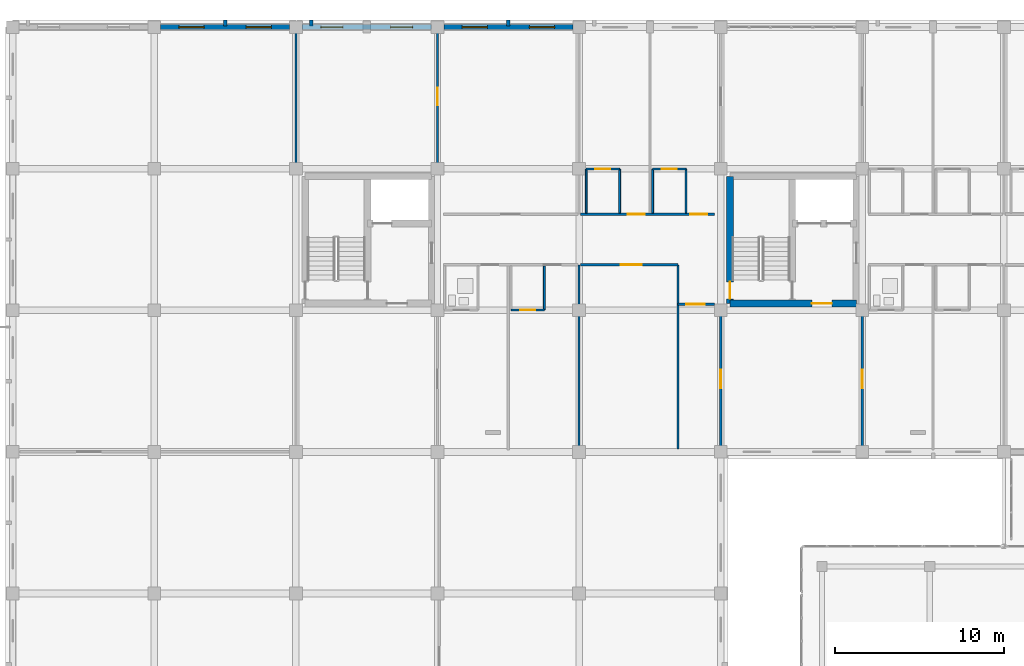
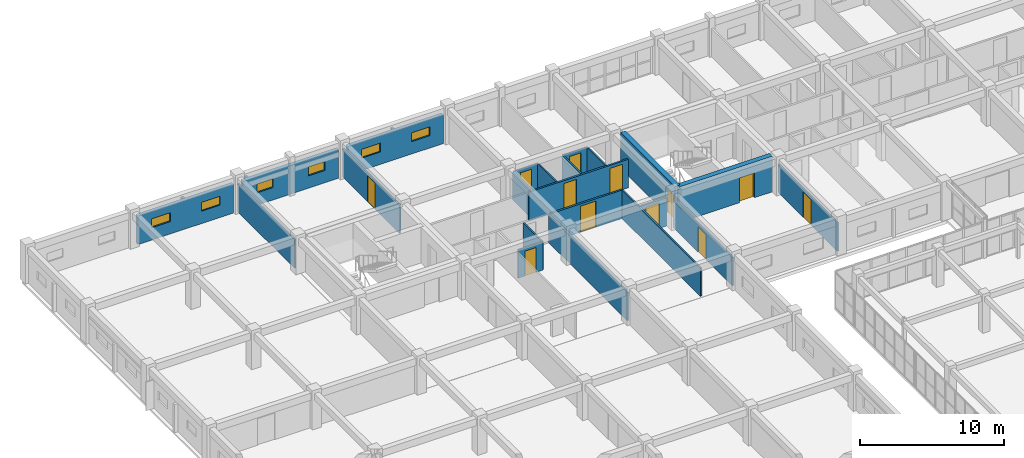
# One storey, part 174 of 200: 25 walls, 12 doors, 6 windows, 18 openings.
"""IFC4 building model written with IfcOpenShell, lengths in metres."""

from ifc_helpers import new_model, si_unit, direction, frame, frame_2d, origin, place, context, subcontext, project, spatial, rectangle, extrude, material, layer, layer_set, type_object, element, fill, save


model = new_model("IFC4")

# Units and contexts
model_context = context("Model", 3, precision=1e-05, world=origin(), true_north=direction((0.0, 1.0)))
body_context = subcontext(model_context, "Body", "Model", "MODEL_VIEW")
ifc_project = project(units=[si_unit("LENGTHUNIT", "METRE"), si_unit("AREAUNIT", "SQUARE_METRE"), si_unit("VOLUMEUNIT", "CUBIC_METRE"), si_unit("PLANEANGLEUNIT", "RADIAN"), si_unit("MASSUNIT", "GRAM", prefix="KILO")], contexts=[model_context])

# Site, building, storey
site_placement = place(None, origin())
site = spatial("IfcSite", under=ifc_project, at=site_placement, CompositionType="ELEMENT")
building_placement = place(site_placement, origin())
building = spatial("IfcBuilding", under=site, at=building_placement, Name="Trelvath General Hospital", CompositionType="ELEMENT")
storey_placement = place(building_placement, frame((0.0, 0.0, 4.800048828125)))
storey = spatial("IfcBuildingStorey", under=building, at=storey_placement, Name="L01", CompositionType="ELEMENT", Elevation=4.800048828125)

# Walls
ifc_material_1 = material(Name="Precast concrete C40/50", Category="concrete")
ifc_layer_1 = layer(ifc_material_1, 0.199951171875)
ifc_layer_set_1 = layer_set([ifc_layer_1], Name="Precast concrete C40/50")
wall_type_1 = type_object("IfcWallType", Name="BriseSoleilRib 200", PredefinedType="ELEMENTEDWALL", material=ifc_layer_set_1)
for number, where, z_axis, x_axis, name in (
    (1, (12.60009765625, 117.675048828125, 0.0), (0.0, 0.0, 1.0), (0.0, 1.0, 0.0), "Precast Concrete Brise-Soleil Rib Fin L01-86"),
    (2, (17.706298828125, 117.675048828125, 0.0), (0.0, 0.0, 1.0), (0.0, 1.0, 0.0), "Precast Concrete Brise-Soleil Rib Fin L01-88"),
    (3, (29.39990234375, 117.675048828125, 0.0), (0.0, 0.0, 1.0), (0.0, 1.0, 0.0), "Precast Concrete Brise-Soleil Rib Fin L01-90"),
):
    element("IfcWall", number, at=place(storey_placement, frame(where, z_axis=z_axis, x_axis=x_axis)), inside=storey, type_object=wall_type_1, Name=name, PredefinedType="ELEMENTEDWALL", context=body_context, shape_type="SweptSolid", body=[
        extrude(rectangle(XDim=0.33984375, YDim=0.199951171875, at=frame_2d((0.169921875, 0.0))), origin(), (0.0, 0.0, 1.0), 2.39990234375),
    ])

# Wall, opening, door
ifc_material_2 = material(Name="Gypsum acoustic steel-stud partition", Category="steel")
ifc_layer_2 = layer(ifc_material_2, 0.14990234375)
ifc_layer_set_2 = layer_set([ifc_layer_2], Name="Gypsum acoustic steel-stud partition")
wall_type_2 = type_object("IfcWallType", Name="ClinicalPartition 150", PredefinedType="PARTITIONING", material=ifc_layer_set_2)
wall_1_placement = place(storey_placement, frame((33.679931640625, 103.5, 0.0), z_axis=(0.0, 0.0, 1.0), x_axis=(1.0, 0.0, 0.0)))
wall_1 = element("IfcWall", 4, at=wall_1_placement, inside=storey, type_object=wall_type_2, Name="Nurse Station Partition L01-524", PredefinedType="PARTITIONING", context=body_context, shape_type="SweptSolid", body=[
    extrude(rectangle(XDim=5.780029296875, YDim=0.14990234375, at=frame_2d((2.89013671875, 0.0))), origin(), (0.0, 0.0, 1.0), 2.39990234375),
])
opening_1_placement = place(wall_1_placement, frame((2.3798828125, 0.0, 0.0)))
opening_1 = element("IfcOpeningElement", 5, at=opening_1_placement, cuts=wall_1, Name="Opening D-1-0544", PredefinedType="OPENING", context=body_context, shape_type="SweptSolid", body=[
    extrude(rectangle(XDim=1.25, YDim=2.199951171875, at=frame_2d((0.625, 1.10009765625))), frame((0.0, 0.0849609375, 0.0), z_axis=(0.0, -1.0, 0.0), x_axis=(1.0, 0.0, 0.0)), (0.0, 0.0, 1.0), 0.169921875),
])
ifc_material_3 = material(Name="Acoustic hospital timber leaf", Category="wood")
door_type_1 = type_object("IfcDoorType", Name="Door Treatment 1250x2200", OperationType="NOTDEFINED", PredefinedType="DOOR", material=ifc_material_3)
door_1_placement = place(opening_1_placement, origin())
door_1 = element("IfcDoor", 6, at=door_1_placement, inside=storey, type_object=door_type_1, Name="Nurse Station Door L01-544", OperationType="SINGLE_SWING_LEFT", OverallHeight=2.199951171875, OverallWidth=1.25, PredefinedType="DOOR", context=body_context, shape_type="SweptSolid", body=[
    extrude(rectangle(XDim=1.25, YDim=2.199951171875, at=frame_2d((0.625, 1.10009765625))), frame((0.0, 0.02490234375, 0.0), z_axis=(0.0, -1.0, 0.0), x_axis=(1.0, 0.0, 0.0)), (0.0, 0.0, 1.0), 0.050048828125),
])
fill(opening_1, door_1)

wall_2_placement = place(storey_placement, frame((39.4599609375, 101.159912109375, 0.0), z_axis=(0.0, 0.0, 1.0), x_axis=(1.0, 0.0, 0.0)))
wall_2 = element("IfcWall", 7, at=wall_2_placement, inside=storey, type_object=wall_type_2, Name="Clean Utility Partition L01-526", PredefinedType="PARTITIONING", context=body_context, shape_type="SweptSolid", body=[
    extrude(rectangle(XDim=2.179931640625, YDim=0.14990234375, at=frame_2d((1.08984375, 0.0))), origin(), (0.0, 0.0, 1.0), 2.39990234375),
])
opening_2_placement = place(wall_2_placement, frame((0.5, 0.0, 0.0)))
opening_2 = element("IfcOpeningElement", 8, at=opening_2_placement, cuts=wall_2, Name="Opening D-1-0545", PredefinedType="OPENING", context=body_context, shape_type="SweptSolid", body=[
    extrude(rectangle(XDim=1.080078125, YDim=2.14990234375, at=frame_2d((0.5400390625, 1.074951171875))), frame((0.0, 0.0849609375, 0.0), z_axis=(0.0, -1.0, 0.0), x_axis=(1.0, 0.0, 0.0)), (0.0, 0.0, 1.0), 0.169921875),
])
ifc_material_4 = material(Name="Acoustic hospital timber leaf", Category="wood")
door_type_2 = type_object("IfcDoorType", Name="Door CleanSupply 1080x2150", OperationType="NOTDEFINED", PredefinedType="DOOR", material=ifc_material_4)
door_2_placement = place(opening_2_placement, origin())
door_2 = element("IfcDoor", 9, at=door_2_placement, inside=storey, type_object=door_type_2, Name="Clean Utility Door L01-545", OperationType="SINGLE_SWING_RIGHT", OverallHeight=2.14990234375, OverallWidth=1.080078125, PredefinedType="DOOR", context=body_context, shape_type="SweptSolid", body=[
    extrude(rectangle(XDim=1.080078125, YDim=2.14990234375, at=frame_2d((0.5400390625, 1.074951171875))), frame((0.0, 0.02490234375, 0.0), z_axis=(0.0, -1.0, 0.0), x_axis=(1.0, 0.0, 0.0)), (0.0, 0.0, 1.0), 0.050048828125),
])
fill(opening_2, door_2)

# Wall, openings, doors
wall_3_placement = place(storey_placement, frame((41.639892578125, 106.5, 0.0), z_axis=(0.0, 0.0, 1.0), x_axis=(-1.0, 0.0, 0.0)))
wall_3 = element("IfcWall", 10, at=wall_3_placement, inside=storey, type_object=wall_type_2, Name="Corridor Partition N L01-527", PredefinedType="PARTITIONING", context=body_context, shape_type="SweptSolid", body=[
    extrude(rectangle(XDim=7.9599609375, YDim=0.14990234375, at=frame_2d((3.97998046875, 0.0))), origin(), (0.0, 0.0, 1.0), 2.39990234375),
])
opening_3_placement = place(wall_3_placement, frame((0.449951171875, 0.0, 0.0)))
opening_3 = element("IfcOpeningElement", 11, at=opening_3_placement, cuts=wall_3, Name="Opening D-1-0546", PredefinedType="OPENING", context=body_context, shape_type="SweptSolid", body=[
    extrude(rectangle(XDim=1.0, YDim=2.14990234375, at=frame_2d((0.5, 1.074951171875))), frame((0.0, 0.0849609375, 0.0), z_axis=(0.0, -1.0, 0.0), x_axis=(1.0, 0.0, 0.0)), (0.0, 0.0, 1.0), 0.169921875),
])
opening_4_placement = place(wall_3_placement, frame((4.14990234375, 0.0, 0.0)))
opening_4 = element("IfcOpeningElement", 12, at=opening_4_placement, cuts=wall_3, Name="Opening D-1-0547", PredefinedType="OPENING", context=body_context, shape_type="SweptSolid", body=[
    extrude(rectangle(XDim=1.0, YDim=2.14990234375, at=frame_2d((0.5, 1.074951171875))), frame((0.0, 0.0849609375, 0.0), z_axis=(0.0, -1.0, 0.0), x_axis=(1.0, 0.0, 0.0)), (0.0, 0.0, 1.0), 0.169921875),
])
ifc_material_5 = material(Name="Acoustic hospital timber leaf", Category="wood")
door_type_3 = type_object("IfcDoorType", Name="Door Consult 1000x2150", OperationType="NOTDEFINED", PredefinedType="DOOR", material=ifc_material_5)
door_3_placement = place(opening_3_placement, origin())
door_3 = element("IfcDoor", 13, at=door_3_placement, inside=storey, type_object=door_type_3, Name="Patient Room Door N L01-546", OperationType="SINGLE_SWING_LEFT", OverallHeight=2.14990234375, OverallWidth=1.0, PredefinedType="DOOR", context=body_context, shape_type="SweptSolid", body=[
    extrude(rectangle(XDim=1.0, YDim=2.14990234375, at=frame_2d((0.5, 1.074951171875))), frame((0.0, 0.02490234375, 0.0), z_axis=(0.0, -1.0, 0.0), x_axis=(1.0, 0.0, 0.0)), (0.0, 0.0, 1.0), 0.050048828125),
])
fill(opening_3, door_3)
door_4_placement = place(opening_4_placement, origin())
door_4 = element("IfcDoor", 14, at=door_4_placement, inside=storey, type_object=door_type_3, Name="Patient Room Door N L01-547", OperationType="SINGLE_SWING_LEFT", OverallHeight=2.14990234375, OverallWidth=1.0, PredefinedType="DOOR", context=body_context, shape_type="SweptSolid", body=[
    extrude(rectangle(XDim=1.0, YDim=2.14990234375, at=frame_2d((0.5, 1.074951171875))), frame((0.0, 0.02490234375, 0.0), z_axis=(0.0, -1.0, 0.0), x_axis=(1.0, 0.0, 0.0)), (0.0, 0.0, 1.0), 0.050048828125),
])
fill(opening_4, door_4)

# Wall, opening, door
ifc_material_6 = material(Name="Concrete C40/50", Category="concrete")
ifc_layer_3 = layer(ifc_material_6, 0.39990234375)
ifc_layer_set_3 = layer_set([ifc_layer_3], Name="Concrete C40/50")
wall_type_3 = type_object("IfcWallType", Name="CoreShearWall 400", PredefinedType="SHEAR", material=ifc_layer_set_3)
wall_4_placement = place(storey_placement, frame((42.550048828125, 101.199951171875, 0.0), z_axis=(0.0, 0.0, 1.0), x_axis=(1.0, 0.0, 0.0)))
wall_4 = element("IfcWall", 15, at=wall_4_placement, inside=storey, type_object=wall_type_3, Name="Core Shear Wall C1 S L01", PredefinedType="SHEAR", context=body_context, shape_type="SweptSolid", body=[
    extrude(rectangle(XDim=7.5, YDim=0.39990234375, at=frame_2d((3.75, 0.0))), origin(), (0.0, 0.0, 1.0), 3.02001953125),
])
opening_5_placement = place(wall_4_placement, frame((4.85009765625, 0.0, 0.0)))
opening_5 = element("IfcOpeningElement", 16, at=opening_5_placement, cuts=wall_4, Name="Opening FD-LS11", PredefinedType="OPENING", context=body_context, shape_type="SweptSolid", body=[
    extrude(rectangle(XDim=1.199951171875, YDim=2.10009765625, at=frame_2d((0.60009765625, 1.050048828125))), frame((0.0, 0.2099609375, 0.0), z_axis=(0.0, -1.0, 0.0), x_axis=(1.0, 0.0, 0.0)), (0.0, 0.0, 1.0), 0.419921875),
])
ifc_material_7 = material(Name="Fire-rated steel door", Category="steel")
door_type_4 = type_object("IfcDoorType", Name="Door FireLobby 1200x2100", OperationType="NOTDEFINED", PredefinedType="DOOR", material=ifc_material_7)
door_5_placement = place(opening_5_placement, origin())
door_5 = element("IfcDoor", 17, at=door_5_placement, inside=storey, type_object=door_type_4, Name="Fire Lobby South Door C1 L01", OperationType="SINGLE_SWING_RIGHT", OverallHeight=2.10009765625, OverallWidth=1.199951171875, PredefinedType="DOOR", context=body_context, shape_type="SweptSolid", body=[
    extrude(rectangle(XDim=1.199951171875, YDim=2.10009765625, at=frame_2d((0.60009765625, 1.050048828125))), frame((0.0, 0.02490234375, 0.0), z_axis=(0.0, -1.0, 0.0), x_axis=(1.0, 0.0, 0.0)), (0.0, 0.0, 1.0), 0.050048828125),
])
fill(opening_5, door_5)

wall_5_placement = place(storey_placement, frame((42.550048828125, 101.199951171875, 0.0), z_axis=(0.0, 0.0, 1.0), x_axis=(0.0, 1.0, 0.0)))
wall_5 = element("IfcWall", 18, at=wall_5_placement, inside=storey, type_object=wall_type_3, Name="Core Shear Wall C1 W L01", PredefinedType="SHEAR", context=body_context, shape_type="SweptSolid", body=[
    extrude(rectangle(XDim=7.550048828125, YDim=0.39990234375, at=frame_2d((3.77490234375, 0.0))), origin(), (0.0, 0.0, 1.0), 3.02001953125),
])
opening_6_placement = place(wall_5_placement, frame((0.280029296875, 0.0, 0.0)))
opening_6 = element("IfcOpeningElement", 19, at=opening_6_placement, cuts=wall_5, Name="Opening FD-SW11", PredefinedType="OPENING", context=body_context, shape_type="SweptSolid", body=[
    extrude(rectangle(XDim=1.0, YDim=2.14990234375, at=frame_2d((0.5, 1.074951171875))), frame((0.0, 0.2099609375, 0.0), z_axis=(0.0, -1.0, 0.0), x_axis=(1.0, 0.0, 0.0)), (0.0, 0.0, 1.0), 0.419921875),
])
ifc_material_8 = material(Name="Fire-rated steel door", Category="steel")
door_type_5 = type_object("IfcDoorType", Name="Door FireStair 1100x2150", OperationType="NOTDEFINED", PredefinedType="DOOR", material=ifc_material_8)
door_6_placement = place(opening_6_placement, origin())
door_6 = element("IfcDoor", 20, at=door_6_placement, inside=storey, type_object=door_type_5, Name="West Corridor Stair Door ST1 L01", OperationType="SINGLE_SWING_LEFT", OverallHeight=2.14990234375, OverallWidth=1.0, PredefinedType="DOOR", context=body_context, shape_type="SweptSolid", body=[
    extrude(rectangle(XDim=1.0, YDim=2.14990234375, at=frame_2d((0.5, 1.074951171875))), frame((0.0, 0.02490234375, 0.0), z_axis=(0.0, -1.0, 0.0), x_axis=(1.0, 0.0, 0.0)), (0.0, 0.0, 1.0), 0.050048828125),
])
fill(opening_6, door_6)

# Wall
ifc_material_9 = material(Name="Moisture-resistant tile partition")
ifc_layer_4 = layer(ifc_material_9, 0.110107421875)
ifc_layer_set_4 = layer_set([ifc_layer_4], Name="Moisture-resistant tile partition")
wall_type_4 = type_object("IfcWallType", Name="EnSuiteWetWall 110", PredefinedType="PARTITIONING", material=ifc_layer_set_4)
wall_6_placement = place(storey_placement, frame((31.5400390625, 100.820068359375, 0.0), z_axis=(0.0, 0.0, 1.0), x_axis=(0.0, 1.0, 0.0)))
element("IfcWall", 21, at=wall_6_placement, inside=storey, type_object=wall_type_4, Name="En-Suite E Wall L01-518", PredefinedType="PARTITIONING", context=body_context, shape_type="SweptSolid", body=[
    extrude(rectangle(XDim=2.60986328125, YDim=0.110107421875, at=frame_2d((1.304931640625, 0.0))), origin(), (0.0, 0.0, 1.0), 2.39990234375),
])

# Wall, opening, door
wall_7_placement = place(storey_placement, frame((29.56005859375, 100.820068359375, 0.0), z_axis=(0.0, 0.0, 1.0), x_axis=(1.0, 0.0, 0.0)))
wall_7 = element("IfcWall", 22, at=wall_7_placement, inside=storey, type_object=wall_type_4, Name="En-Suite Bathroom Partition L01-519", PredefinedType="PARTITIONING", context=body_context, shape_type="SweptSolid", body=[
    extrude(rectangle(XDim=1.97998046875, YDim=0.110107421875, at=frame_2d((0.989990234375, 0.0))), origin(), (0.0, 0.0, 1.0), 2.39990234375),
])
opening_7_placement = place(wall_7_placement, frame((0.5400390625, 0.0, 0.0)))
opening_7 = element("IfcOpeningElement", 23, at=opening_7_placement, cuts=wall_7, Name="Opening D-1-0542", PredefinedType="OPENING", context=body_context, shape_type="SweptSolid", body=[
    extrude(rectangle(XDim=0.89990234375, YDim=2.10009765625, at=frame_2d((0.449951171875, 1.050048828125))), frame((0.0, 0.06494140625, 0.0), z_axis=(0.0, -1.0, 0.0), x_axis=(1.0, 0.0, 0.0)), (0.0, 0.0, 1.0), 0.130126953125),
])
ifc_material_10 = material(Name="Moisture-sealed timber leaf", Category="wood")
door_type_6 = type_object("IfcDoorType", Name="Door EnSuite 900x2100", OperationType="NOTDEFINED", PredefinedType="DOOR", material=ifc_material_10)
door_7_placement = place(opening_7_placement, origin())
door_7 = element("IfcDoor", 24, at=door_7_placement, inside=storey, type_object=door_type_6, Name="En-Suite Bathroom Door L01-542", OperationType="SINGLE_SWING_LEFT", OverallHeight=2.10009765625, OverallWidth=0.89990234375, PredefinedType="DOOR", context=body_context, shape_type="SweptSolid", body=[
    extrude(rectangle(XDim=0.89990234375, YDim=2.10009765625, at=frame_2d((0.449951171875, 1.050048828125))), frame((0.0, 0.02490234375, 0.0), z_axis=(0.0, -1.0, 0.0), x_axis=(1.0, 0.0, 0.0)), (0.0, 0.0, 1.0), 0.050048828125),
])
fill(opening_7, door_7)

# Walls
for number, where, z_axis, x_axis, name in (
    (25, (34.02001953125, 106.570068359375, 0.0), (0.0, 0.0, 1.0), (0.0, 1.0, 0.0), "En-Suite W Wall N L01-529"),
    (26, (36.0, 106.570068359375, 0.0), (0.0, 0.0, 1.0), (0.0, 1.0, 0.0), "En-Suite E Wall N L01-530"),
):
    element("IfcWall", number, at=place(storey_placement, frame(where, z_axis=z_axis, x_axis=x_axis)), inside=storey, type_object=wall_type_4, Name=name, PredefinedType="PARTITIONING", context=body_context, shape_type="SweptSolid", body=[
        extrude(rectangle(XDim=2.60986328125, YDim=0.110107421875, at=frame_2d((1.304931640625, 0.0))), origin(), (0.0, 0.0, 1.0), 2.39990234375),
    ])

# Wall, opening, door
wall_8_placement = place(storey_placement, frame((34.02001953125, 109.179931640625, 0.0), z_axis=(0.0, 0.0, 1.0), x_axis=(1.0, 0.0, 0.0)))
wall_8 = element("IfcWall", 27, at=wall_8_placement, inside=storey, type_object=wall_type_4, Name="En-Suite Bathroom N Partition L01-531", PredefinedType="PARTITIONING", context=body_context, shape_type="SweptSolid", body=[
    extrude(rectangle(XDim=1.97998046875, YDim=0.110107421875, at=frame_2d((0.989990234375, 0.0))), origin(), (0.0, 0.0, 1.0), 2.39990234375),
])
opening_8_placement = place(wall_8_placement, frame((0.5400390625, 0.0, 0.0)))
opening_8 = element("IfcOpeningElement", 28, at=opening_8_placement, cuts=wall_8, Name="Opening D-1-0548", PredefinedType="OPENING", context=body_context, shape_type="SweptSolid", body=[
    extrude(rectangle(XDim=0.89990234375, YDim=2.10009765625, at=frame_2d((0.449951171875, 1.050048828125))), frame((0.0, 0.06494140625, 0.0), z_axis=(0.0, -1.0, 0.0), x_axis=(1.0, 0.0, 0.0)), (0.0, 0.0, 1.0), 0.130126953125),
])
door_8_placement = place(opening_8_placement, origin())
door_8 = element("IfcDoor", 29, at=door_8_placement, inside=storey, type_object=door_type_6, Name="En-Suite Bathroom N Door L01-548", OperationType="SINGLE_SWING_RIGHT", OverallHeight=2.10009765625, OverallWidth=0.89990234375, PredefinedType="DOOR", context=body_context, shape_type="SweptSolid", body=[
    extrude(rectangle(XDim=0.89990234375, YDim=2.10009765625, at=frame_2d((0.449951171875, 1.050048828125))), frame((0.0, 0.02490234375, 0.0), z_axis=(0.0, -1.0, 0.0), x_axis=(1.0, 0.0, 0.0)), (0.0, 0.0, 1.0), 0.050048828125),
])
fill(opening_8, door_8)

# Walls
for number, where, z_axis, x_axis, name in (
    (30, (37.9599609375, 106.570068359375, 0.0), (0.0, 0.0, 1.0), (0.0, 1.0, 0.0), "En-Suite W Wall N L01-532"),
    (31, (39.93994140625, 106.570068359375, 0.0), (0.0, 0.0, 1.0), (0.0, 1.0, 0.0), "En-Suite E Wall N L01-533"),
):
    element("IfcWall", number, at=place(storey_placement, frame(where, z_axis=z_axis, x_axis=x_axis)), inside=storey, type_object=wall_type_4, Name=name, PredefinedType="PARTITIONING", context=body_context, shape_type="SweptSolid", body=[
        extrude(rectangle(XDim=2.60986328125, YDim=0.110107421875, at=frame_2d((1.304931640625, 0.0))), origin(), (0.0, 0.0, 1.0), 2.39990234375),
    ])

# Wall, opening, door
wall_9_placement = place(storey_placement, frame((37.9599609375, 109.179931640625, 0.0), z_axis=(0.0, 0.0, 1.0), x_axis=(1.0, 0.0, 0.0)))
wall_9 = element("IfcWall", 32, at=wall_9_placement, inside=storey, type_object=wall_type_4, Name="En-Suite Bathroom N Partition L01-534", PredefinedType="PARTITIONING", context=body_context, shape_type="SweptSolid", body=[
    extrude(rectangle(XDim=1.97998046875, YDim=0.110107421875, at=frame_2d((0.989990234375, 0.0))), origin(), (0.0, 0.0, 1.0), 2.39990234375),
])
opening_9_placement = place(wall_9_placement, frame((0.5400390625, 0.0, 0.0)))
opening_9 = element("IfcOpeningElement", 33, at=opening_9_placement, cuts=wall_9, Name="Opening D-1-0549", PredefinedType="OPENING", context=body_context, shape_type="SweptSolid", body=[
    extrude(rectangle(XDim=0.89990234375, YDim=2.10009765625, at=frame_2d((0.449951171875, 1.050048828125))), frame((0.0, 0.06494140625, 0.0), z_axis=(0.0, -1.0, 0.0), x_axis=(1.0, 0.0, 0.0)), (0.0, 0.0, 1.0), 0.130126953125),
])
door_9_placement = place(opening_9_placement, origin())
door_9 = element("IfcDoor", 34, at=door_9_placement, inside=storey, type_object=door_type_6, Name="En-Suite Bathroom N Door L01-549", OperationType="SINGLE_SWING_LEFT", OverallHeight=2.10009765625, OverallWidth=0.89990234375, PredefinedType="DOOR", context=body_context, shape_type="SweptSolid", body=[
    extrude(rectangle(XDim=0.89990234375, YDim=2.10009765625, at=frame_2d((0.449951171875, 1.050048828125))), frame((0.0, 0.02490234375, 0.0), z_axis=(0.0, -1.0, 0.0), x_axis=(1.0, 0.0, 0.0)), (0.0, 0.0, 1.0), 0.050048828125),
])
fill(opening_9, door_9)

# Wall, openings, windows
ifc_material_11 = material(Name="Concrete C35/45", Category="concrete")
ifc_layer_5 = layer(ifc_material_11, 0.2900390625)
ifc_layer_set_5 = layer_set([ifc_layer_5], Name="Concrete C35/45")
wall_type_5 = type_object("IfcWallType", Name="ExtBushHammeredWall 290", PredefinedType="SOLIDWALL", material=ifc_layer_set_5)
wall_10_placement = place(storey_placement, frame((8.77001953125, 117.60009765625, 0.0), z_axis=(0.0, 0.0, 1.0), x_axis=(1.0, 0.0, 0.0)))
wall_10 = element("IfcWall", 35, at=wall_10_placement, inside=storey, type_object=wall_type_5, Name="Exterior Concrete Wall L01-125", PredefinedType="SOLIDWALL", context=body_context, shape_type="SweptSolid", body=[
    extrude(rectangle(XDim=7.659912109375, YDim=0.2900390625, at=frame_2d((3.830078125, 0.0))), origin(), (0.0, 0.0, 1.0), 2.419921875),
])
opening_10_placement = place(wall_10_placement, frame((1.08837890625, 0.0, 1.050048828125)))
opening_10 = element("IfcOpeningElement", 36, at=opening_10_placement, cuts=wall_10, Name="Opening WN-1-179", PredefinedType="OPENING", context=body_context, shape_type="SweptSolid", body=[
    extrude(rectangle(XDim=1.5, YDim=0.75, at=frame_2d((0.75, 0.375))), frame((0.0, 0.155029296875, 0.0), z_axis=(0.0, -1.0, 0.0), x_axis=(1.0, 0.0, 0.0)), (0.0, 0.0, 1.0), 0.31005859375),
])
opening_11_placement = place(wall_10_placement, frame((5.071533203125, 0.0, 1.050048828125)))
opening_11 = element("IfcOpeningElement", 37, at=opening_11_placement, cuts=wall_10, Name="Opening WN-1-180", PredefinedType="OPENING", context=body_context, shape_type="SweptSolid", body=[
    extrude(rectangle(XDim=1.5, YDim=0.75, at=frame_2d((0.75, 0.375))), frame((0.0, 0.155029296875, 0.0), z_axis=(0.0, -1.0, 0.0), x_axis=(1.0, 0.0, 0.0)), (0.0, 0.0, 1.0), 0.31005859375),
])
ifc_material_12 = material(Name="Low-E laminated glass", Category="glass")
window_type_1 = type_object("IfcWindowType", Name="Window InterstitialVent 1500x750", PartitioningType="DOUBLE_PANEL_HORIZONTAL", PredefinedType="WINDOW", material=ifc_material_12)
window_1_placement = place(opening_10_placement, origin())
window_1 = element("IfcWindow", 38, at=window_1_placement, inside=storey, type_object=window_type_1, Name="Solar Reveal Window L01-179", OverallHeight=0.75, OverallWidth=1.5, PartitioningType="SINGLE_PANEL", PredefinedType="WINDOW", context=body_context, shape_type="SweptSolid", body=[
    extrude(rectangle(XDim=1.5, YDim=0.75, at=frame_2d((0.75, 0.375))), frame((0.0, 0.030029296875, 0.0), z_axis=(0.0, -1.0, 0.0), x_axis=(1.0, 0.0, 0.0)), (0.0, 0.0, 1.0), 0.06005859375),
])
fill(opening_10, window_1)
window_2_placement = place(opening_11_placement, origin())
window_2 = element("IfcWindow", 39, at=window_2_placement, inside=storey, type_object=window_type_1, Name="Solar Reveal Window L01-180", OverallHeight=0.75, OverallWidth=1.5, PartitioningType="SINGLE_PANEL", PredefinedType="WINDOW", context=body_context, shape_type="SweptSolid", body=[
    extrude(rectangle(XDim=1.5, YDim=0.75, at=frame_2d((0.75, 0.375))), frame((0.0, 0.030029296875, 0.0), z_axis=(0.0, -1.0, 0.0), x_axis=(1.0, 0.0, 0.0)), (0.0, 0.0, 1.0), 0.06005859375),
])
fill(opening_11, window_2)

wall_11_placement = place(storey_placement, frame((17.169921875, 117.60009765625, 0.0), z_axis=(0.0, 0.0, 1.0), x_axis=(1.0, 0.0, 0.0)))
wall_11 = element("IfcWall", 40, at=wall_11_placement, inside=storey, type_object=wall_type_5, Name="Exterior Concrete Wall L01-127", PredefinedType="SOLIDWALL", context=body_context, shape_type="SweptSolid", body=[
    extrude(rectangle(XDim=7.66015625, YDim=0.2900390625, at=frame_2d((3.830078125, 0.0))), origin(), (0.0, 0.0, 1.0), 2.419921875),
])
opening_12_placement = place(wall_11_placement, frame((1.11181640625, 0.0, 1.050048828125)))
opening_12 = element("IfcOpeningElement", 41, at=opening_12_placement, cuts=wall_11, Name="Opening WN-1-183", PredefinedType="OPENING", context=body_context, shape_type="SweptSolid", body=[
    extrude(rectangle(XDim=1.300048828125, YDim=0.75, at=frame_2d((0.64990234375, 0.375))), frame((0.0, 0.155029296875, 0.0), z_axis=(0.0, -1.0, 0.0), x_axis=(1.0, 0.0, 0.0)), (0.0, 0.0, 1.0), 0.31005859375),
])
opening_13_placement = place(wall_11_placement, frame((5.248291015625, 0.0, 1.050048828125)))
opening_13 = element("IfcOpeningElement", 42, at=opening_13_placement, cuts=wall_11, Name="Opening WN-1-184", PredefinedType="OPENING", context=body_context, shape_type="SweptSolid", body=[
    extrude(rectangle(XDim=1.300048828125, YDim=0.75, at=frame_2d((0.64990234375, 0.375))), frame((0.0, 0.155029296875, 0.0), z_axis=(0.0, -1.0, 0.0), x_axis=(1.0, 0.0, 0.0)), (0.0, 0.0, 1.0), 0.31005859375),
])
ifc_material_13 = material(Name="Low-E laminated glass", Category="glass")
window_type_2 = type_object("IfcWindowType", Name="Window InterstitialVent 1300x750", PartitioningType="DOUBLE_PANEL_HORIZONTAL", PredefinedType="WINDOW", material=ifc_material_13)
window_3_placement = place(opening_12_placement, origin())
window_3 = element("IfcWindow", 43, at=window_3_placement, inside=storey, type_object=window_type_2, Name="Solar Reveal Window L01-183", OverallHeight=0.75, OverallWidth=1.300048828125, PartitioningType="SINGLE_PANEL", PredefinedType="WINDOW", context=body_context, shape_type="SweptSolid", body=[
    extrude(rectangle(XDim=1.300048828125, YDim=0.75, at=frame_2d((0.64990234375, 0.375))), frame((0.0, 0.030029296875, 0.0), z_axis=(0.0, -1.0, 0.0), x_axis=(1.0, 0.0, 0.0)), (0.0, 0.0, 1.0), 0.06005859375),
])
fill(opening_12, window_3)
window_4_placement = place(opening_13_placement, origin())
window_4 = element("IfcWindow", 44, at=window_4_placement, inside=storey, type_object=window_type_2, Name="Solar Reveal Window L01-184", OverallHeight=0.75, OverallWidth=1.300048828125, PartitioningType="SINGLE_PANEL", PredefinedType="WINDOW", context=body_context, shape_type="SweptSolid", body=[
    extrude(rectangle(XDim=1.300048828125, YDim=0.75, at=frame_2d((0.64990234375, 0.375))), frame((0.0, 0.030029296875, 0.0), z_axis=(0.0, -1.0, 0.0), x_axis=(1.0, 0.0, 0.0)), (0.0, 0.0, 1.0), 0.06005859375),
])
fill(opening_13, window_4)

wall_12_placement = place(storey_placement, frame((25.570068359375, 117.60009765625, 0.0), z_axis=(0.0, 0.0, 1.0), x_axis=(1.0, 0.0, 0.0)))
wall_12 = element("IfcWall", 45, at=wall_12_placement, inside=storey, type_object=wall_type_5, Name="Exterior Concrete Wall L01-129", PredefinedType="SOLIDWALL", context=body_context, shape_type="SweptSolid", body=[
    extrude(rectangle(XDim=7.659912109375, YDim=0.2900390625, at=frame_2d((3.830078125, 0.0))), origin(), (0.0, 0.0, 1.0), 2.419921875),
])
opening_14_placement = place(wall_12_placement, frame((1.08837890625, 0.0, 1.050048828125)))
opening_14 = element("IfcOpeningElement", 46, at=opening_14_placement, cuts=wall_12, Name="Opening WN-1-187", PredefinedType="OPENING", context=body_context, shape_type="SweptSolid", body=[
    extrude(rectangle(XDim=1.5, YDim=0.75, at=frame_2d((0.75, 0.375))), frame((0.0, 0.155029296875, 0.0), z_axis=(0.0, -1.0, 0.0), x_axis=(1.0, 0.0, 0.0)), (0.0, 0.0, 1.0), 0.31005859375),
])
opening_15_placement = place(wall_12_placement, frame((5.071533203125, 0.0, 1.050048828125)))
opening_15 = element("IfcOpeningElement", 47, at=opening_15_placement, cuts=wall_12, Name="Opening WN-1-188", PredefinedType="OPENING", context=body_context, shape_type="SweptSolid", body=[
    extrude(rectangle(XDim=1.5, YDim=0.75, at=frame_2d((0.75, 0.375))), frame((0.0, 0.155029296875, 0.0), z_axis=(0.0, -1.0, 0.0), x_axis=(1.0, 0.0, 0.0)), (0.0, 0.0, 1.0), 0.31005859375),
])
window_5_placement = place(opening_14_placement, origin())
window_5 = element("IfcWindow", 48, at=window_5_placement, inside=storey, type_object=window_type_1, Name="Solar Reveal Window L01-187", OverallHeight=0.75, OverallWidth=1.5, PartitioningType="SINGLE_PANEL", PredefinedType="WINDOW", context=body_context, shape_type="SweptSolid", body=[
    extrude(rectangle(XDim=1.5, YDim=0.75, at=frame_2d((0.75, 0.375))), frame((0.0, 0.030029296875, 0.0), z_axis=(0.0, -1.0, 0.0), x_axis=(1.0, 0.0, 0.0)), (0.0, 0.0, 1.0), 0.06005859375),
])
fill(opening_14, window_5)
window_6_placement = place(opening_15_placement, origin())
window_6 = element("IfcWindow", 49, at=window_6_placement, inside=storey, type_object=window_type_1, Name="Solar Reveal Window L01-188", OverallHeight=0.75, OverallWidth=1.5, PartitioningType="SINGLE_PANEL", PredefinedType="WINDOW", context=body_context, shape_type="SweptSolid", body=[
    extrude(rectangle(XDim=1.5, YDim=0.75, at=frame_2d((0.75, 0.375))), frame((0.0, 0.030029296875, 0.0), z_axis=(0.0, -1.0, 0.0), x_axis=(1.0, 0.0, 0.0)), (0.0, 0.0, 1.0), 0.06005859375),
])
fill(opening_15, window_6)

# Wall
ifc_material_14 = material(Name="Gypsum acoustic steel-stud partition", Category="steel")
ifc_layer_6 = layer(ifc_material_14, 0.1298828125)
ifc_layer_set_6 = layer_set([ifc_layer_6], Name="Gypsum acoustic steel-stud partition")
wall_type_6 = type_object("IfcWallType", Name="WardPartition 130", PredefinedType="PARTITIONING", material=ifc_layer_set_6)
wall_13_placement = place(storey_placement, frame((16.800048828125, 109.550048828125, 0.0), z_axis=(0.0, 0.0, 1.0), x_axis=(0.0, 1.0, 0.0)))
element("IfcWall", 50, at=wall_13_placement, inside=storey, type_object=wall_type_6, Name="Inter-Bay Ward Partition N L01-509", PredefinedType="PARTITIONING", context=body_context, shape_type="SweptSolid", body=[
    extrude(rectangle(XDim=7.909912109375, YDim=0.1298828125, at=frame_2d((3.955078125, 0.0))), origin(), (0.0, 0.0, 1.0), 2.39990234375),
])

# Wall, opening, door
wall_14_placement = place(storey_placement, frame((25.199951171875, 109.550048828125, 0.0), z_axis=(0.0, 0.0, 1.0), x_axis=(0.0, 1.0, 0.0)))
wall_14 = element("IfcWall", 51, at=wall_14_placement, inside=storey, type_object=wall_type_6, Name="Inter-Bay Ward Partition N L01-511", PredefinedType="PARTITIONING", context=body_context, shape_type="SweptSolid", body=[
    extrude(rectangle(XDim=7.909912109375, YDim=0.1298828125, at=frame_2d((3.955078125, 0.0))), origin(), (0.0, 0.0, 1.0), 2.39990234375),
])
opening_16_placement = place(wall_14_placement, frame((3.39990234375, 0.0, 0.0)))
opening_16 = element("IfcOpeningElement", 52, at=opening_16_placement, cuts=wall_14, Name="Opening D-1-0538", PredefinedType="OPENING", context=body_context, shape_type="SweptSolid", body=[
    extrude(rectangle(XDim=1.050048828125, YDim=2.199951171875, at=frame_2d((0.52490234375, 1.10009765625))), frame((0.0, 0.074951171875, 0.0), z_axis=(0.0, -1.0, 0.0), x_axis=(1.0, 0.0, 0.0)), (0.0, 0.0, 1.0), 0.14990234375),
])
ifc_material_15 = material(Name="Acoustic hospital timber leaf", Category="wood")
door_type_7 = type_object("IfcDoorType", Name="Door Consult 1050x2200", OperationType="NOTDEFINED", PredefinedType="DOOR", material=ifc_material_15)
door_10_placement = place(opening_16_placement, origin())
door_10 = element("IfcDoor", 53, at=door_10_placement, inside=storey, type_object=door_type_7, Name="Consultation Connecting Door L01-538", OperationType="SINGLE_SWING_LEFT", OverallHeight=2.199951171875, OverallWidth=1.050048828125, PredefinedType="DOOR", context=body_context, shape_type="SweptSolid", body=[
    extrude(rectangle(XDim=1.050048828125, YDim=2.199951171875, at=frame_2d((0.52490234375, 1.10009765625))), frame((0.0, 0.02490234375, 0.0), z_axis=(0.0, -1.0, 0.0), x_axis=(1.0, 0.0, 0.0)), (0.0, 0.0, 1.0), 0.050048828125),
])
fill(opening_16, door_10)

# Walls
for number, where, z_axis, x_axis, name in (
    (54, (33.60009765625, 92.5400390625, 0.0), (0.0, 0.0, 1.0), (0.0, 1.0, 0.0), "Inter-Bay Ward Partition S L01-522"),
    (55, (39.4599609375, 92.56005859375, 0.0), (0.0, 0.0, 1.0), (0.0, 1.0, 0.0), "Nurse Alcove Partition L01-525"),
):
    element("IfcWall", number, at=place(storey_placement, frame(where, z_axis=z_axis, x_axis=x_axis)), inside=storey, type_object=wall_type_6, Name=name, PredefinedType="PARTITIONING", context=body_context, shape_type="SweptSolid", body=[
        extrude(rectangle(XDim=10.93994140625, YDim=0.1298828125, at=frame_2d((5.469970703125, 0.0))), origin(), (0.0, 0.0, 1.0), 2.39990234375),
    ])

# Wall, opening, door
wall_15_placement = place(storey_placement, frame((42.0, 92.5400390625, 0.0), z_axis=(0.0, 0.0, 1.0), x_axis=(0.0, 1.0, 0.0)))
wall_15 = element("IfcWall", 56, at=wall_15_placement, inside=storey, type_object=wall_type_6, Name="Inter-Bay Ward Partition S L01-535", PredefinedType="PARTITIONING", context=body_context, shape_type="SweptSolid", body=[
    extrude(rectangle(XDim=8.2099609375, YDim=0.1298828125, at=frame_2d((4.10498046875, 0.0))), origin(), (0.0, 0.0, 1.0), 2.39990234375),
])
opening_17_placement = place(wall_15_placement, frame((3.639892578125, 0.0, 0.0)))
opening_17 = element("IfcOpeningElement", 57, at=opening_17_placement, cuts=wall_15, Name="Opening D-1-0550", PredefinedType="OPENING", context=body_context, shape_type="SweptSolid", body=[
    extrude(rectangle(XDim=1.080078125, YDim=2.14990234375, at=frame_2d((0.5400390625, 1.074951171875))), frame((0.0, 0.074951171875, 0.0), z_axis=(0.0, -1.0, 0.0), x_axis=(1.0, 0.0, 0.0)), (0.0, 0.0, 1.0), 0.14990234375),
])
door_11_placement = place(opening_17_placement, origin())
door_11 = element("IfcDoor", 58, at=door_11_placement, inside=storey, type_object=door_type_2, Name="Clean Supply Connecting Door L01-550", OperationType="SINGLE_SWING_RIGHT", OverallHeight=2.14990234375, OverallWidth=1.080078125, PredefinedType="DOOR", context=body_context, shape_type="SweptSolid", body=[
    extrude(rectangle(XDim=1.080078125, YDim=2.14990234375, at=frame_2d((0.5400390625, 1.074951171875))), frame((0.0, 0.02490234375, 0.0), z_axis=(0.0, -1.0, 0.0), x_axis=(1.0, 0.0, 0.0)), (0.0, 0.0, 1.0), 0.050048828125),
])
fill(opening_17, door_11)

wall_16_placement = place(storey_placement, frame((50.39990234375, 92.5400390625, 0.0), z_axis=(0.0, 0.0, 1.0), x_axis=(0.0, 1.0, 0.0)))
wall_16 = element("IfcWall", 59, at=wall_16_placement, inside=storey, type_object=wall_type_6, Name="Inter-Bay Ward Partition S L01-537", PredefinedType="PARTITIONING", context=body_context, shape_type="SweptSolid", body=[
    extrude(rectangle(XDim=8.2099609375, YDim=0.1298828125, at=frame_2d((4.10498046875, 0.0))), origin(), (0.0, 0.0, 1.0), 2.39990234375),
])
opening_18_placement = place(wall_16_placement, frame((3.639892578125, 0.0, 0.0)))
opening_18 = element("IfcOpeningElement", 60, at=opening_18_placement, cuts=wall_16, Name="Opening D-1-0552", PredefinedType="OPENING", context=body_context, shape_type="SweptSolid", body=[
    extrude(rectangle(XDim=1.080078125, YDim=2.14990234375, at=frame_2d((0.5400390625, 1.074951171875))), frame((0.0, 0.074951171875, 0.0), z_axis=(0.0, -1.0, 0.0), x_axis=(1.0, 0.0, 0.0)), (0.0, 0.0, 1.0), 0.14990234375),
])
door_12_placement = place(opening_18_placement, origin())
door_12 = element("IfcDoor", 61, at=door_12_placement, inside=storey, type_object=door_type_2, Name="Clean Supply Connecting Door L01-552", OperationType="SINGLE_SWING_RIGHT", OverallHeight=2.14990234375, OverallWidth=1.080078125, PredefinedType="DOOR", context=body_context, shape_type="SweptSolid", body=[
    extrude(rectangle(XDim=1.080078125, YDim=2.14990234375, at=frame_2d((0.5400390625, 1.074951171875))), frame((0.0, 0.02490234375, 0.0), z_axis=(0.0, -1.0, 0.0), x_axis=(1.0, 0.0, 0.0)), (0.0, 0.0, 1.0), 0.050048828125),
])
fill(opening_18, door_12)

save(model, "model.ifc")
